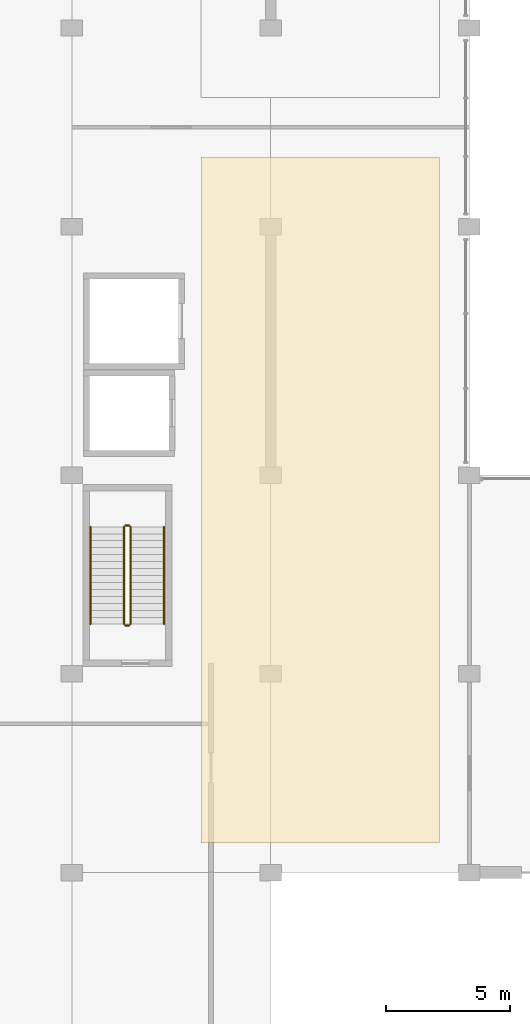
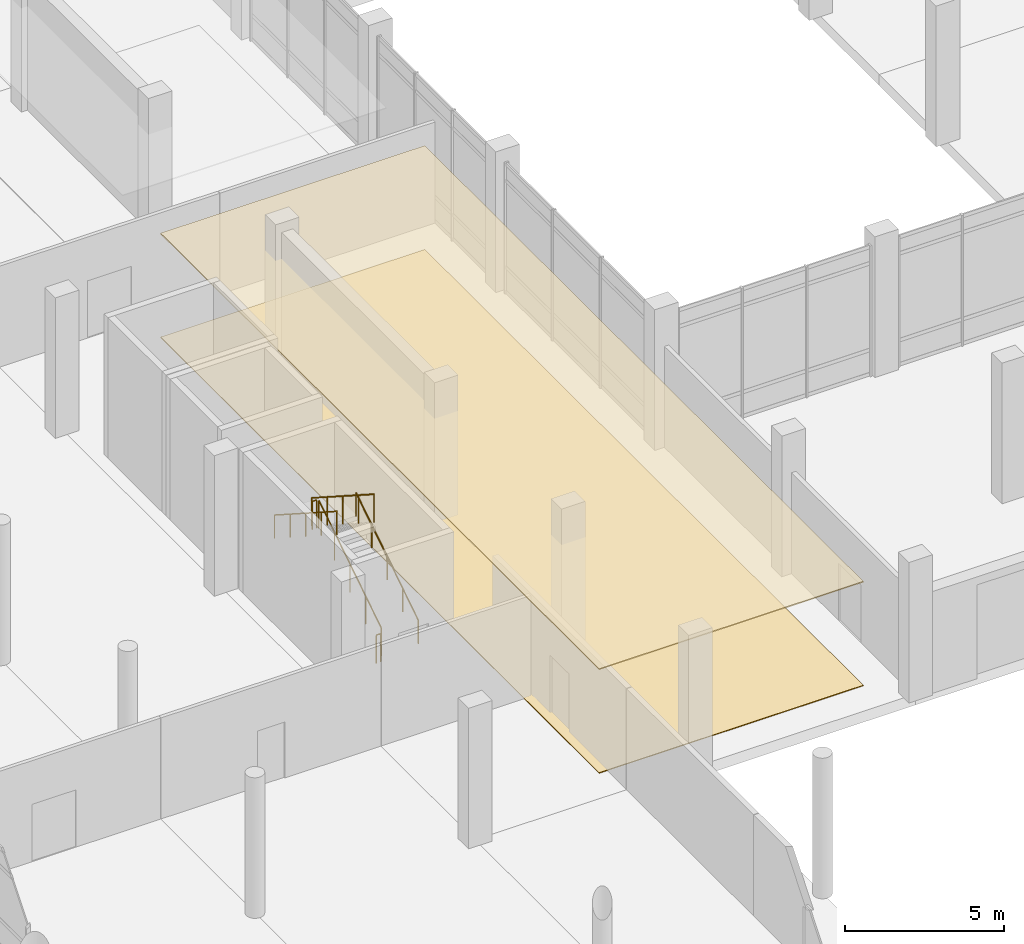
# One storey, part 35 of 42: 6 railings, 2 coverings.
"""IFC4 building model written with IfcOpenShell, lengths in metres."""

from ifc_helpers import new_model, si_unit, direction, frame, origin, origin_2d, place, context, subcontext, project, spatial, polyline, circle, outline, extrude, material, layer, layer_set, type_object, element, save


model = new_model("IFC4")

# Units and contexts
model_context = context("Model", 3, precision=1e-05, world=origin(), true_north=direction((0.0, 1.0)))
body_context = subcontext(model_context, "Body", "Model", "MODEL_VIEW")
ifc_project = project(units=[si_unit("LENGTHUNIT", "METRE"), si_unit("AREAUNIT", "SQUARE_METRE"), si_unit("VOLUMEUNIT", "CUBIC_METRE"), si_unit("PLANEANGLEUNIT", "RADIAN"), si_unit("MASSUNIT", "GRAM", prefix="KILO")], contexts=[model_context])

# Site, building, storey
site_placement = place(None, origin())
site = spatial("IfcSite", under=ifc_project, at=site_placement, CompositionType="ELEMENT")
building_placement = place(site_placement, origin())
building = spatial("IfcBuilding", under=site, at=building_placement, Name="Pecanmere Concourse Central Library", CompositionType="ELEMENT")
storey_placement = place(building_placement, origin())
storey = spatial("IfcBuildingStorey", under=building, at=storey_placement, Name="L01", CompositionType="ELEMENT", Elevation=0.0)

# Coverings
ifc_material_1 = material(Name="Perforated mineral acoustic ceiling tile")
ifc_layer_1 = layer(ifc_material_1, 0.0400390625, Name="COV_CEIL_ACOUSTIC")
ifc_layer_set_1 = layer_set([ifc_layer_1], Name="Perforated mineral acoustic ceiling tile")
covering_type_1 = type_object("IfcCoveringType", Name="COV_CEIL_ACOUSTIC", PredefinedType="CEILING", material=ifc_layer_set_1)
covering_1_placement = place(storey_placement, frame((0.0, 0.0, 3.97998046875)))
element("IfcCovering", 1, at=covering_1_placement, inside=storey, type_object=covering_type_1, Name="Acoustic Coffered Ceiling L01-001", PredefinedType="CEILING", context=body_context, shape_type="SweptSolid", body=[
    extrude(outline(polyline([(117.199951171875, 49.199951171875), (126.800048828125, 49.199951171875), (126.800048828125, 76.800048828125), (117.199951171875, 76.800048828125), (117.199951171875, 49.199951171875)])), origin(), (0.0, 0.0, 1.0), 0.0400390625),
])
ifc_material_2 = material(Name="Polished epoxy terrazzo finish")
ifc_layer_2 = layer(ifc_material_2, 0.030029296875, Name="COV_FLR_TERRAZZO")
ifc_layer_set_2 = layer_set([ifc_layer_2], Name="Polished epoxy terrazzo finish")
covering_type_2 = type_object("IfcCoveringType", Name="COV_FLR_TERRAZZO", PredefinedType="FLOORING", material=ifc_layer_set_2)
covering_2_placement = place(storey_placement, origin())
element("IfcCovering", 2, at=covering_2_placement, inside=storey, type_object=covering_type_2, Name="Finished Flooring L01-001", PredefinedType="FLOORING", context=body_context, shape_type="SweptSolid", body=[
    extrude(outline(polyline([(117.199951171875, 49.199951171875), (126.800048828125, 49.199951171875), (126.800048828125, 76.800048828125), (117.199951171875, 76.800048828125), (117.199951171875, 49.199951171875)])), origin(), (0.0, 0.0, 1.0), 0.030029296875),
])

# Railings
ifc_material_3 = material(Name="Painted architectural steel ASTM A36", Category="steel")
railing_type_1 = type_object("IfcRailingType", Name="RAIL_STAIR_GUARD", PredefinedType="GUARDRAIL", material=ifc_material_3)
railing_1_placement = place(storey_placement, frame((114.360107421875, 58.0, 0.179931640625)))
element("IfcRailing", 3, at=railing_1_placement, inside=storey, type_object=railing_type_1, Name="L01 ST-05 Guard 1", PredefinedType="GUARDRAIL", context=body_context, shape_type="SweptSolid", body=[
    extrude(circle(Radius=0.02392578125, at=origin_2d()), frame((0.0, 0.0, 1.076171875), z_axis=(0.0, 0.841171666519, 0.540768182723), x_axis=(-1.0, 0.0, 0.0)), (0.0, 0.0, 1.0), 4.66015625),
    extrude(circle(Radius=0.02099609375, at=origin_2d()), origin(), (0.0, 0.0, 1.0), 1.052001953125),
    extrude(circle(Radius=0.02099609375, at=origin_2d()), frame((0.0, 0.97998046875, 0.6298828125)), (0.0, 0.0, 1.0), 1.052001953125),
    extrude(circle(Radius=0.02099609375, at=origin_2d()), frame((0.0, 1.9599609375, 1.260009765625)), (0.0, 0.0, 1.0), 1.052001953125),
    extrude(circle(Radius=0.02099609375, at=origin_2d()), frame((0.0, 2.93994140625, 1.89013671875)), (0.0, 0.0, 1.0), 1.052001953125),
    extrude(circle(Radius=0.02099609375, at=origin_2d()), frame((0.0, 3.919921875, 2.52001953125)), (0.0, 0.0, 1.0), 1.052001953125),
])
railing_2_placement = place(storey_placement, frame((114.31005859375, 61.969970703125, 2.699951171875)))
element("IfcRailing", 4, at=railing_2_placement, inside=storey, type_object=railing_type_1, Name="L01 ST-05 Guard 2", PredefinedType="GUARDRAIL", context=body_context, shape_type="SweptSolid", body=[
    extrude(circle(Radius=0.02392578125, at=origin_2d()), frame((0.0, 0.0, 1.076171875), z_axis=(-1.0, 0.0, 0.0), x_axis=(0.0, -1.0, 0.0)), (0.0, 0.0, 1.0), 0.16015625),
    extrude(circle(Radius=0.02099609375, at=origin_2d()), origin(), (0.0, 0.0, 1.0), 1.052001953125),
    extrude(circle(Radius=0.02099609375, at=origin_2d()), frame((-0.16015625, 0.0, 0.0)), (0.0, 0.0, 1.0), 1.052001953125),
])
railing_3_placement = place(storey_placement, frame((114.10009765625, 61.919921875, 2.8798828125)))
element("IfcRailing", 5, at=railing_3_placement, inside=storey, type_object=railing_type_1, Name="L01 ST-05 Guard 3", PredefinedType="GUARDRAIL", context=body_context, shape_type="SweptSolid", body=[
    extrude(circle(Radius=0.02392578125, at=origin_2d()), frame((0.0, 0.0, 1.076171875), z_axis=(0.0, -0.841171666519, 0.540768182723), x_axis=(1.0, 0.0, 0.0)), (0.0, 0.0, 1.0), 4.66015625),
    extrude(circle(Radius=0.02099609375, at=origin_2d()), origin(), (0.0, 0.0, 1.0), 1.052001953125),
    extrude(circle(Radius=0.02099609375, at=origin_2d()), frame((0.0, -0.97998046875, 0.6298828125)), (0.0, 0.0, 1.0), 1.052001953125),
    extrude(circle(Radius=0.02099609375, at=origin_2d()), frame((0.0, -1.9599609375, 1.260009765625)), (0.0, 0.0, 1.0), 1.052001953125),
    extrude(circle(Radius=0.02099609375, at=origin_2d()), frame((0.0, -2.93994140625, 1.89013671875)), (0.0, 0.0, 1.0), 1.052001953125),
    extrude(circle(Radius=0.02099609375, at=origin_2d()), frame((0.0, -3.919921875, 2.52001953125)), (0.0, 0.0, 1.0), 1.052001953125),
])
railing_4_placement = place(storey_placement, frame((114.31005859375, 57.949951171875, 0.0)))
element("IfcRailing", 6, at=railing_4_placement, inside=storey, type_object=railing_type_1, Name="L01 ST-05 Guard 4", PredefinedType="GUARDRAIL", context=body_context, shape_type="SweptSolid", body=[
    extrude(circle(Radius=0.02392578125, at=origin_2d()), frame((0.0, 0.0, 1.076171875), z_axis=(-1.0, 0.0, 0.0), x_axis=(0.0, -1.0, 0.0)), (0.0, 0.0, 1.0), 0.16015625),
    extrude(circle(Radius=0.02099609375, at=origin_2d()), origin(), (0.0, 0.0, 1.0), 1.052001953125),
    extrude(circle(Radius=0.02099609375, at=origin_2d()), frame((-0.16015625, 0.0, 0.0)), (0.0, 0.0, 1.0), 1.052001953125),
])
ifc_material_4 = material(Name="Brushed stainless steel Grade 316", Category="steel")
railing_type_2 = type_object("IfcRailingType", Name="RAIL_STAIR_HR", PredefinedType="HANDRAIL", material=ifc_material_4)
railing_5_placement = place(storey_placement, frame((115.7099609375, 58.0, 0.179931640625)))
element("IfcRailing", 7, at=railing_5_placement, inside=storey, type_object=railing_type_2, Name="L01 ST-05 Handrail 1", PredefinedType="HANDRAIL", context=body_context, shape_type="SweptSolid", body=[
    extrude(circle(Radius=0.02392578125, at=origin_2d()), frame((0.0, 0.0, 0.89111328125), z_axis=(0.0, 0.841171666519, 0.540768182723), x_axis=(-1.0, 0.0, 0.0)), (0.0, 0.0, 1.0), 4.66015625),
    extrude(circle(Radius=0.02099609375, at=origin_2d()), origin(), (0.0, 0.0, 1.0), 0.866943359375),
    extrude(circle(Radius=0.02099609375, at=origin_2d()), frame((0.0, 0.97998046875, 0.6298828125)), (0.0, 0.0, 1.0), 0.866943359375),
    extrude(circle(Radius=0.02099609375, at=origin_2d()), frame((0.0, 1.9599609375, 1.260009765625)), (0.0, 0.0, 1.0), 0.866943359375),
    extrude(circle(Radius=0.02099609375, at=origin_2d()), frame((0.0, 2.93994140625, 1.89013671875)), (0.0, 0.0, 1.0), 0.866943359375),
    extrude(circle(Radius=0.02099609375, at=origin_2d()), frame((0.0, 3.919921875, 2.52001953125)), (0.0, 0.0, 1.0), 0.866943359375),
])
railing_6_placement = place(storey_placement, frame((112.75, 61.919921875, 2.8798828125)))
element("IfcRailing", 8, at=railing_6_placement, inside=storey, type_object=railing_type_2, Name="L01 ST-05 Handrail 2", PredefinedType="HANDRAIL", context=body_context, shape_type="SweptSolid", body=[
    extrude(circle(Radius=0.02392578125, at=origin_2d()), frame((0.0, 0.0, 0.89111328125), z_axis=(0.0, -0.841171666519, 0.540768182723), x_axis=(1.0, 0.0, 0.0)), (0.0, 0.0, 1.0), 4.66015625),
    extrude(circle(Radius=0.02099609375, at=origin_2d()), origin(), (0.0, 0.0, 1.0), 0.866943359375),
    extrude(circle(Radius=0.02099609375, at=origin_2d()), frame((0.0, -0.97998046875, 0.6298828125)), (0.0, 0.0, 1.0), 0.866943359375),
    extrude(circle(Radius=0.02099609375, at=origin_2d()), frame((0.0, -1.9599609375, 1.260009765625)), (0.0, 0.0, 1.0), 0.866943359375),
    extrude(circle(Radius=0.02099609375, at=origin_2d()), frame((0.0, -2.93994140625, 1.89013671875)), (0.0, 0.0, 1.0), 0.866943359375),
    extrude(circle(Radius=0.02099609375, at=origin_2d()), frame((0.0, -3.919921875, 2.52001953125)), (0.0, 0.0, 1.0), 0.866943359375),
])

save(model, "model.ifc")
